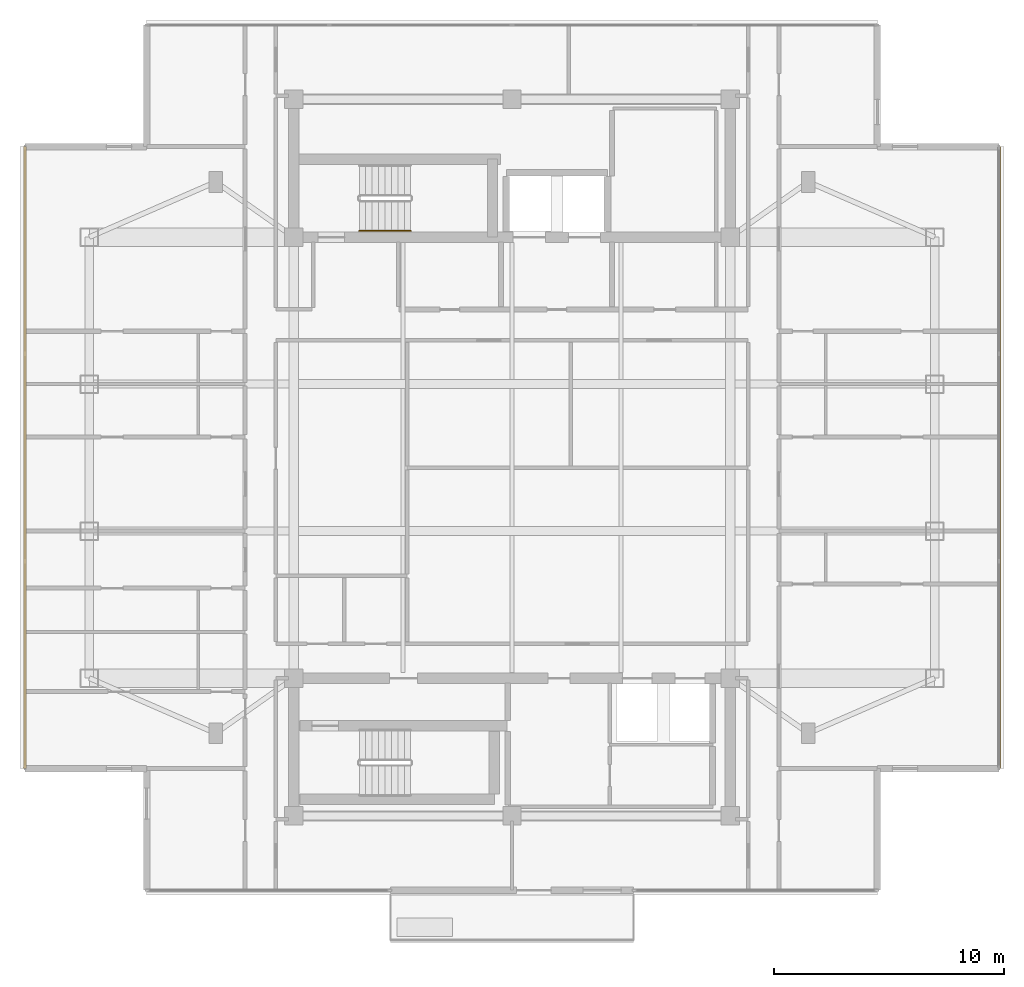
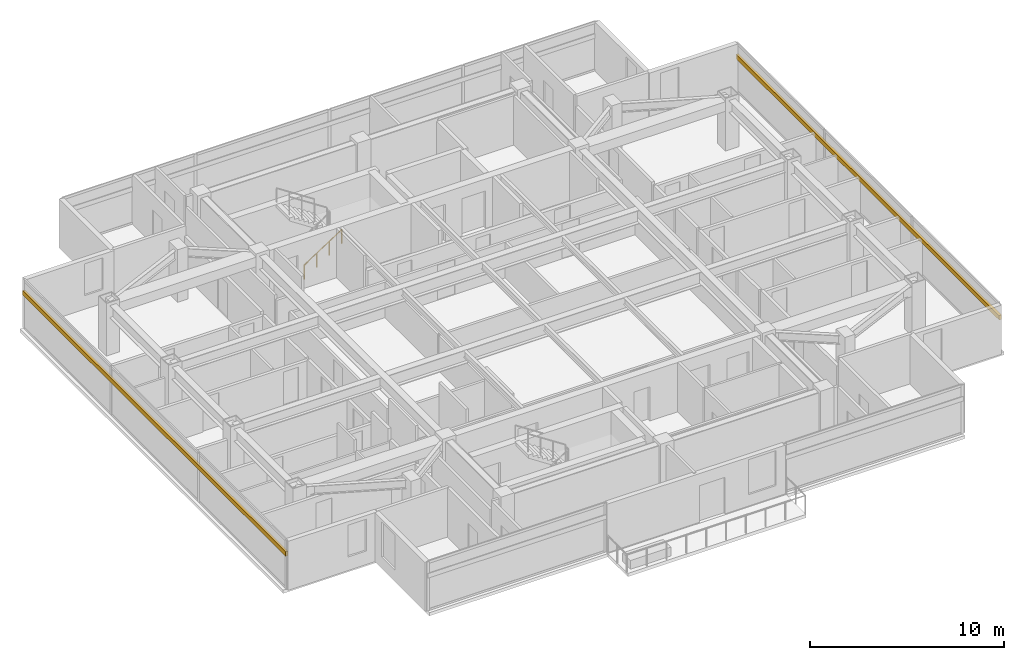
# One storey, part 13 of 14: 2 shading devices, 1 railing.
"""IFC4 building model written with IfcOpenShell, lengths in metres."""

from ifc_helpers import new_model, si_unit, direction, frame, origin, origin_2d, place, context, subcontext, project, spatial, rectangle, circle, extrude, material, material_profile, profile_set, type_object, element, save


model = new_model("IFC4")

# Units and contexts
model_context = context("Model", 3, precision=1e-05, world=origin(), true_north=direction((0.0, 1.0)))
body_context = subcontext(model_context, "Body", "Model", "MODEL_VIEW")
ifc_project = project(units=[si_unit("LENGTHUNIT", "METRE"), si_unit("AREAUNIT", "SQUARE_METRE"), si_unit("VOLUMEUNIT", "CUBIC_METRE"), si_unit("PLANEANGLEUNIT", "RADIAN"), si_unit("MASSUNIT", "GRAM", prefix="KILO")], contexts=[model_context])

# Site, building, storey
site_placement = place(None, origin())
site = spatial("IfcSite", under=ifc_project, at=site_placement, CompositionType="ELEMENT")
building_placement = place(site_placement, origin())
building = spatial("IfcBuilding", under=site, at=building_placement, Name="Mirazonda Arch Towers", CompositionType="ELEMENT")
storey_placement = place(building_placement, frame((0.0, 0.0, 232.60009765625)))
storey = spatial("IfcBuildingStorey", under=building, at=storey_placement, Name="L66", CompositionType="ELEMENT", Elevation=232.60009765625)

# Shading devices
ifc_material_1 = material(Name="Kiln-Fired Architectural Terracotta", Category="masonry")
ifc_material_profile = material_profile(ifc_material_1, rectangle(XDim=0.139892578125, YDim=0.280029296875, at=origin_2d()), Name="TERRA-BAG-140x280")
ifc_profile_set = profile_set([ifc_material_profile], Name="Kiln-Fired Architectural Terracotta")
shading_device_type = type_object("IfcShadingDeviceType", Name="BAGUETTE-3", PredefinedType="USERDEFINED", material=ifc_profile_set)
for number, where, z_axis, x_axis, name in (
    (1, (41.699951171875, 14.4580078125, 2.217529296875), (0.0, 1.0, 0.0), (-1.0, 0.0, 0.0), "L66 Glazed Terracotta Sun-Screen Baguette CW-L66-T1-E"),
    (2, (-0.699951171875, 41.5419921875, 2.217529296875), (0.0, -1.0, 0.0), (1.0, 0.0, 0.0), "L66 Glazed Terracotta Sun-Screen Baguette CW-L66-T1-W"),
):
    element("IfcShadingDevice", number, at=place(storey_placement, frame(where, z_axis=z_axis, x_axis=x_axis)), inside=storey, type_object=shading_device_type, Name=name, ObjectType="BAGUETTE", PredefinedType="USERDEFINED", context=body_context, shape_type="SweptSolid", body=[
        extrude(rectangle(XDim=0.139892578125, YDim=0.280029296875, at=origin_2d()), origin(), (0.0, 0.0, 1.0), 27.083984375),
    ])

# Railing
ifc_material_2 = material(Name="Architectural Brushed Steel S355", Category="steel")
railing_type = type_object("IfcRailingType", Name="HANDRAIL-915", PredefinedType="HANDRAIL", material=ifc_material_2)
railing_placement = place(storey_placement, frame((13.85009765625, 37.8701171875, 0.183349609375)))
element("IfcRailing", 3, at=railing_placement, inside=storey, type_object=railing_type, Name="L66 ST-T1N stair handrail 1", PredefinedType="HANDRAIL", context=body_context, shape_type="SweptSolid", body=[
    extrude(circle(Radius=0.02392578125, at=origin_2d()), frame((0.0, 0.0, 0.8759765625), z_axis=(0.836636935527, 0.0, 0.547757827979), x_axis=(0.0, 1.0, 0.0)), (0.0, 0.0, 1.0), 2.677490234375),
    extrude(circle(Radius=0.02099609375, at=origin_2d()), origin(), (0.0, 0.0, 1.0), 0.851806640625),
    extrude(circle(Radius=0.02099609375, at=origin_2d()), frame((0.74658203125, 0.0, 0.48876953125)), (0.0, 0.0, 1.0), 0.851806640625),
    extrude(circle(Radius=0.02099609375, at=origin_2d()), frame((1.493408203125, 0.0, 0.977783203125)), (0.0, 0.0, 1.0), 0.851806640625),
    extrude(circle(Radius=0.02099609375, at=origin_2d()), frame((2.239990234375, 0.0, 1.466552734375)), (0.0, 0.0, 1.0), 0.851806640625),
])

save(model, "model.ifc")
